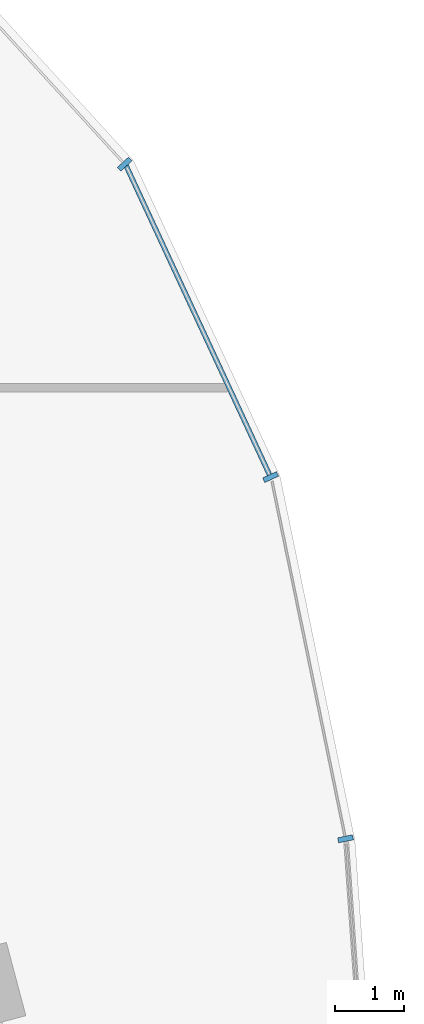
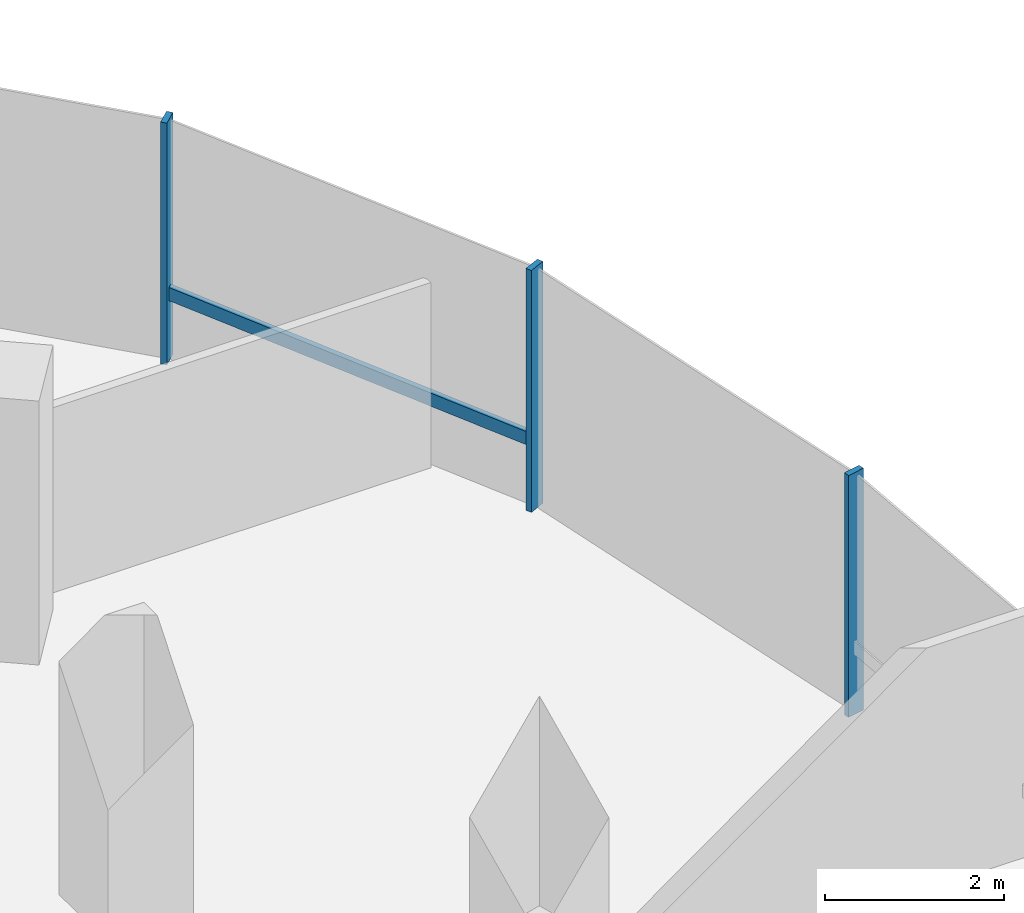
# One storey, part 8 of 21: 4 members, 1 element without a shape of its own.
"""IFC4 building model written with IfcOpenShell, lengths in metres."""

from ifc_helpers import new_model, si_unit, direction, frame, origin, origin_2d, place, context, subcontext, project, spatial, rectangle, extrude, material, material_profile, profile_set, type_object, element, aggregate, save


model = new_model("IFC4")

# Units and contexts
model_context = context("Model", 3, precision=1e-05, world=origin(), true_north=direction((0.0, 1.0)))
body_context = subcontext(model_context, "Body", "Model", "MODEL_VIEW")
ifc_project = project(units=[si_unit("LENGTHUNIT", "METRE"), si_unit("AREAUNIT", "SQUARE_METRE"), si_unit("VOLUMEUNIT", "CUBIC_METRE"), si_unit("PLANEANGLEUNIT", "RADIAN"), si_unit("MASSUNIT", "GRAM", prefix="KILO"), si_unit("THERMODYNAMICTEMPERATUREUNIT", "KELVIN"), si_unit("POWERUNIT", "WATT")], contexts=[model_context])

# Site, building, storey
site_placement = place(None, origin())
site = spatial("IfcSite", under=ifc_project, at=site_placement, CompositionType="ELEMENT")
building_placement = place(site_placement, origin())
building = spatial("IfcBuilding", under=site, at=building_placement, Name="Cundina Bronze Exchange", CompositionType="ELEMENT")
storey_placement = place(building_placement, frame((0.0, 0.0, 121.39990234375)))
storey = spatial("IfcBuildingStorey", under=building, at=storey_placement, Name="L31", CompositionType="ELEMENT", Elevation=121.39990234375)

# Curtain wall, members
ifc_material = material(Name="Anodised Bronze Aluminium 6063-T6", Category="aluminium")
curtain_wall_type = type_object("IfcCurtainWallType", Name="CWS-TRD-MID", PredefinedType="NOTDEFINED", material=ifc_material)
curtain_wall_placement = place(storey_placement, origin())
curtain_wall = element("IfcCurtainWall", 1, at=curtain_wall_placement, inside=storey, type_object=curtain_wall_type, Name="L31 CW-03 Curtain Wall Run CWR-L31-E1", PredefinedType="NOTDEFINED")
ifc_material_profile_1 = material_profile(ifc_material, rectangle(XDim=0.074951171875, YDim=0.219970703125, at=origin_2d()), Name="AL75X220", Category="aluminium")
ifc_profile_set_1 = profile_set([ifc_material_profile_1], Name="Anodised Bronze Aluminium 6063-T6")
member_type_1 = type_object("IfcMemberType", Name="CWM-MUL-220", PredefinedType="MULLION", material=ifc_profile_set_1)
member_1_placement = place(storey_placement, frame((50.717041015625, 8.67822265625, 0.0), z_axis=(0.0, 0.0, 1.0), x_axis=(-0.201419845156, 0.979505000486, 0.0)))
member_1 = element("IfcMember", 2, at=member_1_placement, type_object=member_type_1, Name="CW-03 Mullion 2", PredefinedType="MULLION", context=body_context, shape_type="SweptSolid", body=[
    extrude(rectangle(XDim=0.074951171875, YDim=0.219970703125, at=origin_2d()), origin(), (0.0, 0.0, 1.0), 3.300048828125),
])
member_2_placement = place(storey_placement, frame((49.6279296875, 13.931884765625, 0.0), z_axis=(0.0, 0.0, 1.0), x_axis=(-0.42087749791, 0.907117485088, 0.0)))
member_2 = element("IfcMember", 3, at=member_2_placement, type_object=member_type_1, Name="CW-03 Mullion 3", PredefinedType="MULLION", context=body_context, shape_type="SweptSolid", body=[
    extrude(rectangle(XDim=0.074951171875, YDim=0.219970703125, at=origin_2d()), origin(), (0.0, 0.0, 1.0), 3.300048828125),
])
member_3_placement = place(storey_placement, frame((47.508544921875, 18.47705078125, 0.0), z_axis=(0.0, 0.0, 1.0), x_axis=(-0.674302387584, 0.738455340626, 0.0)))
member_3 = element("IfcMember", 4, at=member_3_placement, type_object=member_type_1, Name="CW-03 Mullion 4", PredefinedType="MULLION", context=body_context, shape_type="SweptSolid", body=[
    extrude(rectangle(XDim=0.074951171875, YDim=0.219970703125, at=origin_2d()), origin(), (0.0, 0.0, 1.0), 3.300048828125),
])
ifc_material_profile_2 = material_profile(ifc_material, rectangle(XDim=0.070068359375, YDim=0.179931640625, at=origin_2d()), Name="AL70X180", Category="aluminium")
ifc_profile_set_2 = profile_set([ifc_material_profile_2], Name="Anodised Bronze Aluminium 6063-T6")
member_type_2 = type_object("IfcMemberType", Name="CWM-TRN-180", PredefinedType="USERDEFINED", material=ifc_profile_set_2)
member_4_placement = place(storey_placement, frame((49.610595703125, 13.96923828125, 0.920166015625), z_axis=(-0.420811422796, 0.907148139195, 0.0), x_axis=(-0.907148139195, -0.420811422796, 0.0)))
member_4 = element("IfcMember", 5, at=member_4_placement, type_object=member_type_2, Name="CW-03 Spandrel Transom 3", ObjectType="TRANSOM", PredefinedType="USERDEFINED", context=body_context, shape_type="SweptSolid", body=[
    extrude(rectangle(XDim=0.070068359375, YDim=0.179931640625, at=origin_2d()), origin(), (0.0, 0.0, 1.0), 4.95166015625),
])
aggregate(curtain_wall, [member_1, member_2, member_4, member_3])

save(model, "model.ifc")
